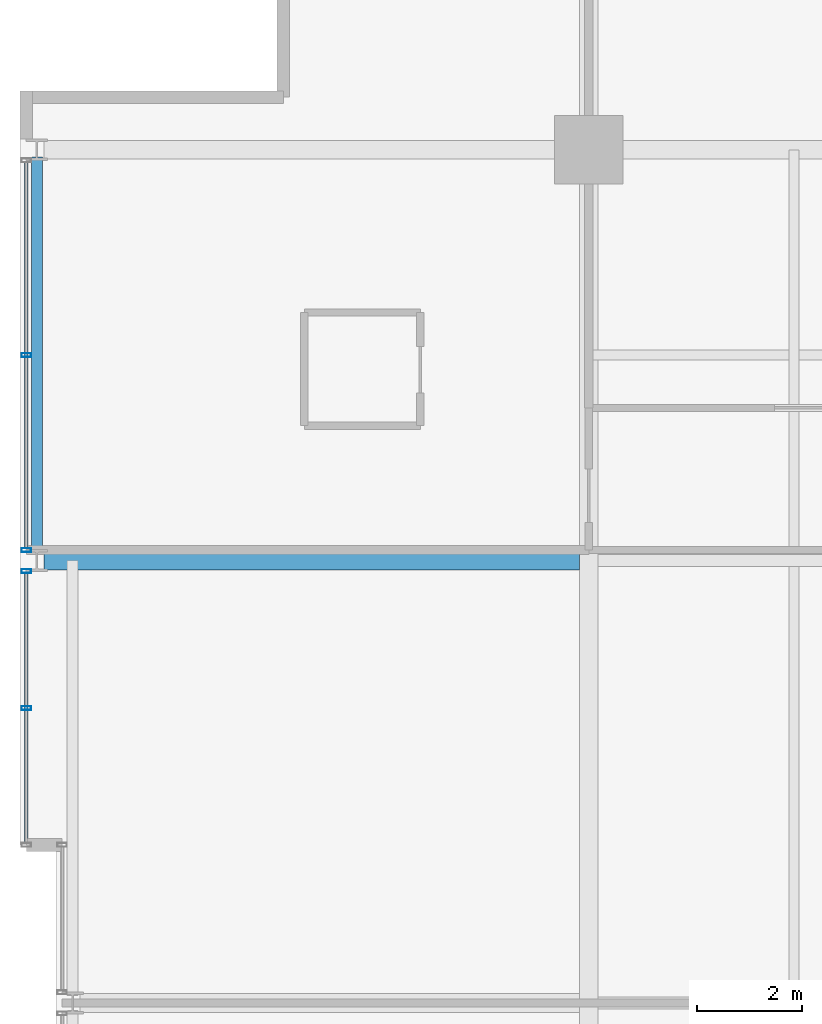
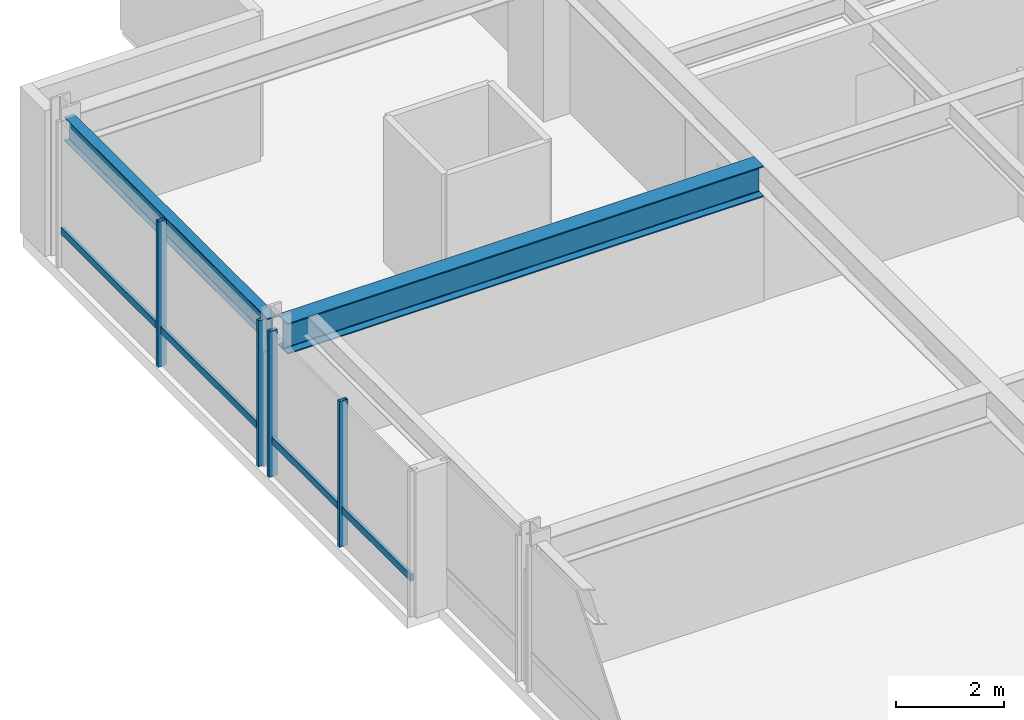
# One storey, part 17 of 32: 6 members, 2 beams, 2 elements without a shape of their own.
"""IFC4 building model written with IfcOpenShell, lengths in metres."""

from ifc_helpers import new_model, si_unit, direction, frame, origin, origin_2d, place, context, subcontext, project, spatial, hollow_rectangle, i_section, extrude, material, layer, layer_set, material_profile, profile_set, type_object, element, aggregate, save


model = new_model("IFC4")

# Units and contexts
model_context = context("Model", 3, precision=1e-05, world=origin(), true_north=direction((0.0, 1.0)))
body_context = subcontext(model_context, "Body", "Model", "MODEL_VIEW")
ifc_project = project(units=[si_unit("LENGTHUNIT", "METRE"), si_unit("AREAUNIT", "SQUARE_METRE"), si_unit("VOLUMEUNIT", "CUBIC_METRE"), si_unit("PLANEANGLEUNIT", "RADIAN"), si_unit("MASSUNIT", "GRAM", prefix="KILO")], contexts=[model_context])

# Site, building, storey
site_placement = place(None, origin())
site = spatial("IfcSite", under=ifc_project, at=site_placement, CompositionType="ELEMENT")
building_placement = place(site_placement, origin())
building = spatial("IfcBuilding", under=site, at=building_placement, Name="Drelvath Grand Hotel", CompositionType="ELEMENT")
storey_placement = place(building_placement, frame((0.0, 0.0, 164.60009765625)))
storey = spatial("IfcBuildingStorey", under=building, at=storey_placement, Name="L42", CompositionType="ELEMENT", Elevation=164.60009765625)

# Curtain wall, member
ifc_material_1 = material(Name="Brushed Pale-Silver Anodised Aluminium Frame", Category="aluminium")
ifc_layer = layer(ifc_material_1, 0.199951171875)
ifc_layer_set = layer_set([ifc_layer], Name="Brushed Pale-Silver Anodised Aluminium Frame")
curtain_wall_type = type_object("IfcCurtainWallType", Name="Stick Curtain Wall CW-04 Brushed Silver Upper-Mid", PredefinedType="NOTDEFINED", material=ifc_layer_set)
curtain_wall_1_placement = place(storey_placement, origin())
curtain_wall_1 = element("IfcCurtainWall", 1, at=curtain_wall_1_placement, inside=storey, type_object=curtain_wall_type, Name="L42 CW-04 Curtain Wall CW04-L42-WN1", PredefinedType="NOTDEFINED")
ifc_material_profile_1 = material_profile(ifc_material_1, hollow_rectangle(XDim=0.06494140625, YDim=0.159912109375, WallThickness=0.00390625, at=origin_2d()), Name="HSS160X65X4")
ifc_profile_set_1 = profile_set([ifc_material_profile_1], Name="Brushed Pale-Silver Anodised Aluminium Frame")
member_type_1 = type_object("IfcMemberType", Name="Curtain Wall Horizontal Transom CW-04 HSS160X65X4", PredefinedType="USERDEFINED", material=ifc_profile_set_1)
member_1_placement = place(storey_placement, frame((-26.8798828125, 30.0400390625, 0.822509765625), z_axis=(0.0, 1.0, 0.0), x_axis=(-1.0, 0.0, 0.0)))
member_1 = element("IfcMember", 2, at=member_1_placement, type_object=member_type_1, Name="CW04-L42-WN1 Sill Transom", ObjectType="TRANSOM", PredefinedType="USERDEFINED", context=body_context, shape_type="SweptSolid", body=[
    extrude(hollow_rectangle(XDim=0.06494140625, YDim=0.159912109375, WallThickness=0.00390625, at=origin_2d()), origin(), (0.0, 0.0, 1.0), 5.119873046875),
])

curtain_wall_2_placement = place(storey_placement, origin())
curtain_wall_2 = element("IfcCurtainWall", 3, at=curtain_wall_2_placement, inside=storey, type_object=curtain_wall_type, Name="L42 CW-04 Curtain Wall CW04-L42-WN2", PredefinedType="NOTDEFINED")
member_2_placement = place(storey_placement, frame((-26.8798828125, 35.639892578125, 0.822509765625), z_axis=(0.0, 1.0, 0.0), x_axis=(-1.0, 0.0, 0.0)))
member_2 = element("IfcMember", 4, at=member_2_placement, type_object=member_type_1, Name="CW04-L42-WN2 Sill Transom", ObjectType="TRANSOM", PredefinedType="USERDEFINED", context=body_context, shape_type="SweptSolid", body=[
    extrude(hollow_rectangle(XDim=0.06494140625, YDim=0.159912109375, WallThickness=0.00390625, at=origin_2d()), origin(), (0.0, 0.0, 1.0), 7.320068359375),
])

# Member
ifc_material_profile_2 = material_profile(ifc_material_1, hollow_rectangle(XDim=0.074951171875, YDim=0.179931640625, WallThickness=0.0048828125, at=origin_2d()), Name="HSS180X75X5")
ifc_profile_set_2 = profile_set([ifc_material_profile_2], Name="Brushed Pale-Silver Anodised Aluminium Frame")
member_type_2 = type_object("IfcMemberType", Name="Curtain Wall Vertical Mullion CW-04 HSS180X75X5", PredefinedType="MULLION", material=ifc_profile_set_2)
member_3_placement = place(storey_placement, frame((-26.8798828125, 32.60009765625, 0.0), z_axis=(0.0, 0.0, 1.0), x_axis=(0.0, 1.0, 0.0)))
member_3 = element("IfcMember", 5, at=member_3_placement, type_object=member_type_2, Name="CW04-L42-WN1 Mullion 2", PredefinedType="MULLION", context=body_context, shape_type="SweptSolid", body=[
    extrude(hollow_rectangle(XDim=0.074951171875, YDim=0.179931640625, WallThickness=0.0048828125, at=origin_2d()), origin(), (0.0, 0.0, 1.0), 3.289794921875),
])

member_4_placement = place(storey_placement, frame((-26.8798828125, 35.199951171875, 0.0), z_axis=(0.0, 0.0, 1.0), x_axis=(0.0, 1.0, 0.0)))
member_4 = element("IfcMember", 6, at=member_4_placement, type_object=member_type_2, Name="CW04-L42-WN1 Mullion 3", PredefinedType="MULLION", context=body_context, shape_type="SweptSolid", body=[
    extrude(hollow_rectangle(XDim=0.074951171875, YDim=0.179931640625, WallThickness=0.0048828125, at=origin_2d()), origin(), (0.0, 0.0, 1.0), 3.289794921875),
])

aggregate(curtain_wall_1, [member_3, member_4, member_1])

member_5_placement = place(storey_placement, frame((-26.8798828125, 35.60009765625, 0.0), z_axis=(0.0, 0.0, 1.0), x_axis=(0.0, 1.0, 0.0)))
member_5 = element("IfcMember", 7, at=member_5_placement, type_object=member_type_2, Name="CW04-L42-WN2 Mullion 1", PredefinedType="MULLION", context=body_context, shape_type="SweptSolid", body=[
    extrude(hollow_rectangle(XDim=0.074951171875, YDim=0.179931640625, WallThickness=0.0048828125, at=origin_2d()), origin(), (0.0, 0.0, 1.0), 3.289794921875),
])

member_6_placement = place(storey_placement, frame((-26.8798828125, 39.300048828125, 0.0), z_axis=(0.0, 0.0, 1.0), x_axis=(0.0, 1.0, 0.0)))
member_6 = element("IfcMember", 8, at=member_6_placement, type_object=member_type_2, Name="CW04-L42-WN2 Mullion 2", PredefinedType="MULLION", context=body_context, shape_type="SweptSolid", body=[
    extrude(hollow_rectangle(XDim=0.074951171875, YDim=0.179931640625, WallThickness=0.0048828125, at=origin_2d()), origin(), (0.0, 0.0, 1.0), 3.289794921875),
])

aggregate(curtain_wall_2, [member_5, member_6, member_2])

# Beams
ifc_material_2 = material(Name="Steel ASTM A992 Gr 50", Category="steel")
ifc_material_profile_3 = material_profile(ifc_material_2, i_section(OverallWidth=0.210205078125, OverallDepth=0.53662109375, WebThickness=0.010986328125, FlangeThickness=0.017333984375, FilletRadius=0.01806640625, at=origin_2d()), Name="W21X68")
ifc_profile_set_3 = profile_set([ifc_material_profile_3], Name="Steel ASTM A992 Gr 50")
beam_type_1 = type_object("IfcBeamType", Name="Perimeter Spandrel Beam W21X68", PredefinedType="SPANDREL", material=ifc_profile_set_3)
beam_1_placement = place(storey_placement, frame((-26.679931640625, 35.5400390625, 3.021484375), z_axis=(0.0, 1.0, 0.0), x_axis=(-1.0, 0.0, 0.0)))
element("IfcBeam", 9, at=beam_1_placement, inside=storey, type_object=beam_type_1, Name="L42 Spandrel West N", PredefinedType="SPANDREL", context=body_context, shape_type="SweptSolid", body=[
    extrude(i_section(OverallWidth=0.210205078125, OverallDepth=0.53662109375, WebThickness=0.010986328125, FlangeThickness=0.017333984375, FilletRadius=0.01806640625, at=origin_2d()), origin(), (0.0, 0.0, 1.0), 7.52001953125),
])
ifc_material_profile_4 = material_profile(ifc_material_2, i_section(OverallWidth=0.354736328125, OverallDepth=0.695556640625, WebThickness=0.015380859375, FlangeThickness=0.025146484375, FilletRadius=0.02392578125, at=origin_2d()), Name="W27X146")
ifc_profile_set_4 = profile_set([ifc_material_profile_4], Name="Steel ASTM A992 Gr 50")
beam_type_2 = type_object("IfcBeamType", Name="Primary Floor Girder W27X146", PredefinedType="BEAM", material=ifc_profile_set_4)
beam_2_placement = place(storey_placement, frame((-26.5400390625, 35.39990234375, 2.942138671875), z_axis=(1.0, 0.0, 0.0), x_axis=(0.0, 1.0, 0.0)))
element("IfcBeam", 10, at=beam_2_placement, inside=storey, type_object=beam_type_2, Name="L42 West Wing Girder F", PredefinedType="BEAM", context=body_context, shape_type="SweptSolid", body=[
    extrude(i_section(OverallWidth=0.354736328125, OverallDepth=0.695556640625, WebThickness=0.015380859375, FlangeThickness=0.025146484375, FilletRadius=0.02392578125, at=origin_2d()), origin(), (0.0, 0.0, 1.0), 10.16259765625),
])

save(model, "model.ifc")
